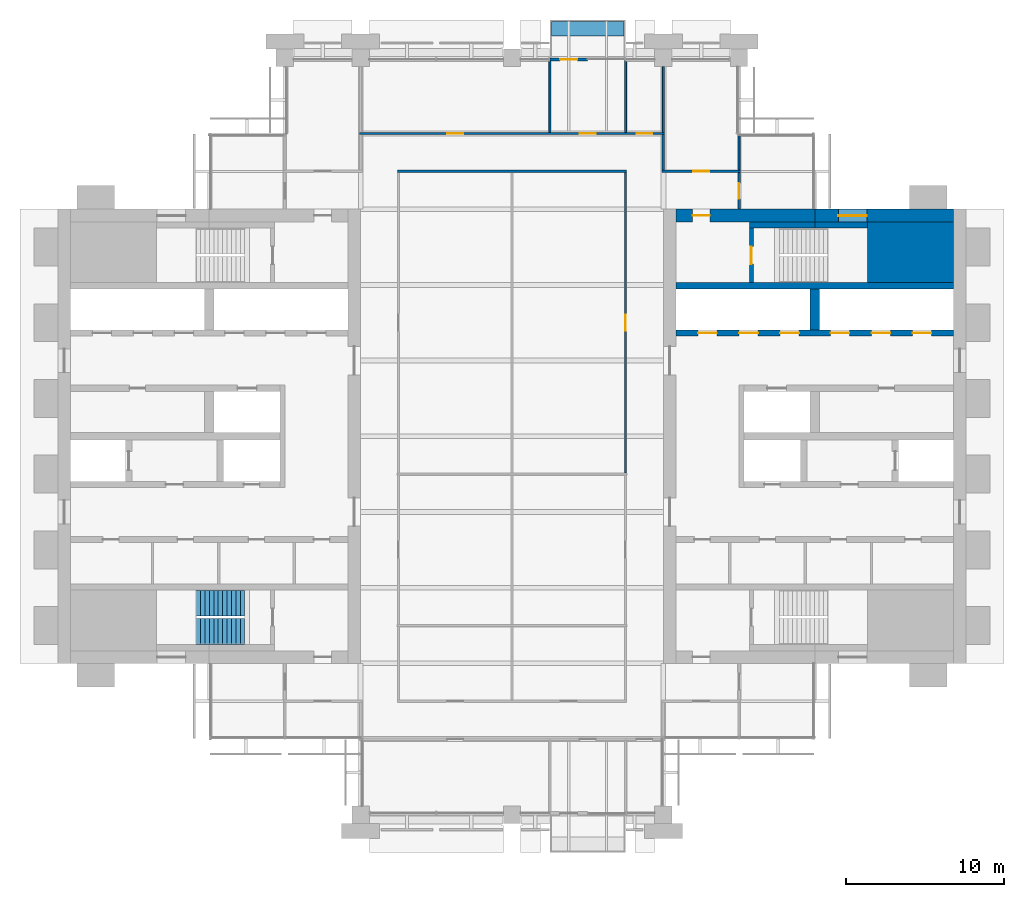
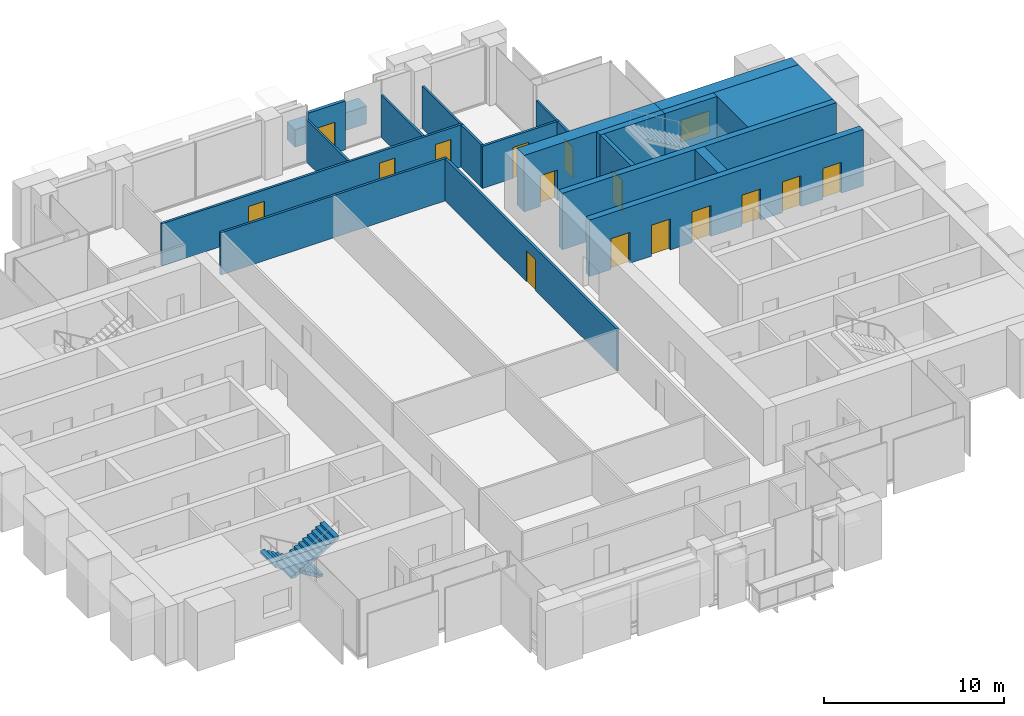
# One storey, part 11 of 14: 21 walls, 15 doors, 2 stair flights, 1 window, 16 openings, 1 element without a shape of its own.
"""IFC4 building model written with IfcOpenShell, lengths in metres."""

from ifc_helpers import new_model, si_unit, direction, frame, frame_2d, origin, place, context, subcontext, project, spatial, polyline, rectangle, outline, extrude, material, layer, layer_set, type_object, element, fill, aggregate, save


model = new_model("IFC4")

# Units and contexts
model_context = context("Model", 3, precision=1e-05, world=origin(), true_north=direction((0.0, 1.0)))
body_context = subcontext(model_context, "Body", "Model", "MODEL_VIEW")
ifc_project = project(units=[si_unit("LENGTHUNIT", "METRE"), si_unit("AREAUNIT", "SQUARE_METRE"), si_unit("VOLUMEUNIT", "CUBIC_METRE"), si_unit("PLANEANGLEUNIT", "RADIAN"), si_unit("MASSUNIT", "GRAM", prefix="KILO")], contexts=[model_context])

# Site, building, storey
site_placement = place(None, origin())
site = spatial("IfcSite", under=ifc_project, at=site_placement, CompositionType="ELEMENT")
building_placement = place(site_placement, origin())
building = spatial("IfcBuilding", under=site, at=building_placement, Name="Baori Bourse Tower", CompositionType="ELEMENT")
storey_placement = place(building_placement, frame((0.0, 0.0, 197.199951171875)))
storey = spatial("IfcBuildingStorey", under=building, at=storey_placement, Name="L42", CompositionType="ELEMENT", Elevation=197.199951171875)

# Wall
ifc_material_1 = material(Name="Concrete f'c 50 MPa", Category="concrete")
wall_type_1 = type_object("IfcWallType", Name="Core corner block f'c 50", PredefinedType="SHEAR", material=ifc_material_1)
wall_1_placement = place(storey_placement, frame((51.35009765625, 35.675048828125, 0.0), z_axis=(0.0, 0.0, 1.0), x_axis=(1.0, 0.0, 0.0)))
element("IfcWall", 1, at=wall_1_placement, inside=storey, type_object=wall_type_1, Name="Core wall E24", PredefinedType="SHEAR", context=body_context, shape_type="SweptSolid", body=[
    extrude(rectangle(XDim=5.449951171875, YDim=3.85009765625, at=frame_2d((2.72509765625, 0.0))), origin(), (0.0, 0.0, 1.0), 3.840087890625),
])

# Wall, opening, window
ifc_material_2 = material(Name="Concrete f'c 50 MPa", Category="concrete")
ifc_layer_1 = layer(ifc_material_2, 0.800048828125)
ifc_layer_set_1 = layer_set([ifc_layer_1], Name="Core wall 800 f'c 50")
wall_type_2 = type_object("IfcWallType", Name="Core wall 800 f'c 50", PredefinedType="SHEAR", material=ifc_layer_set_1)
wall_2_placement = place(storey_placement, frame((48.0, 38.0, 0.0), z_axis=(0.0, 0.0, 1.0), x_axis=(1.0, 0.0, 0.0)))
wall_2 = element("IfcWall", 2, at=wall_2_placement, inside=storey, type_object=wall_type_2, Name="Core wall E28", PredefinedType="SHEAR", context=body_context, shape_type="SweptSolid", body=[
    extrude(rectangle(XDim=8.800048828125, YDim=0.800048828125, at=frame_2d((4.39990234375, 0.0))), origin(), (0.0, 0.0, 1.0), 3.840087890625),
])
opening_1_placement = place(wall_2_placement, frame((1.5, 0.0, 0.89990234375)))
opening_1 = element("IfcOpeningElement", 3, at=opening_1_placement, cuts=wall_2, Name="Opening L42-KW204", PredefinedType="OPENING", context=body_context, shape_type="SweptSolid", body=[
    extrude(rectangle(XDim=1.800048828125, YDim=1.5, at=frame_2d((0.89990234375, 0.75))), frame((0.0, 0.409912109375, 0.0), z_axis=(0.0, -1.0, 0.0), x_axis=(1.0, 0.0, 0.0)), (0.0, 0.0, 1.0), 0.820068359375),
])
ifc_material_3 = material(Name="Pale anodised aluminium", Category="aluminium")
window_type = type_object("IfcWindowType", Name="Stair window 1800 x 1500", PartitioningType="SINGLE_PANEL", PredefinedType="WINDOW", material=ifc_material_3)
window_placement = place(opening_1_placement, origin())
window = element("IfcWindow", 4, at=window_placement, inside=storey, type_object=window_type, Name="Stair window E L42 4", OverallHeight=1.5, OverallWidth=1.800048828125, PartitioningType="SINGLE_PANEL", PredefinedType="WINDOW", context=body_context, shape_type="SweptSolid", body=[
    extrude(rectangle(XDim=1.800048828125, YDim=1.5, at=frame_2d((0.89990234375, 0.75))), frame((0.0, 0.030029296875, 0.0), z_axis=(0.0, -1.0, 0.0), x_axis=(1.0, 0.0, 0.0)), (0.0, 0.0, 1.0), 0.06005859375),
])
fill(opening_1, window)

# Wall, opening, door
wall_3_placement = place(storey_placement, frame((39.199951171875, 38.0, 0.0), z_axis=(0.0, 0.0, 1.0), x_axis=(1.0, 0.0, 0.0)))
wall_3 = element("IfcWall", 5, at=wall_3_placement, inside=storey, type_object=wall_type_2, Name="Core wall E29", PredefinedType="SHEAR", context=body_context, shape_type="SweptSolid", body=[
    extrude(rectangle(XDim=8.800048828125, YDim=0.800048828125, at=frame_2d((4.39990234375, 0.0))), origin(), (0.0, 0.0, 1.0), 3.840087890625),
])
opening_2_placement = place(wall_3_placement, frame((1.050048828125, 0.0, 0.0)))
opening_2 = element("IfcOpeningElement", 6, at=opening_2_placement, cuts=wall_3, Name="Opening L42-D204", PredefinedType="OPENING", context=body_context, shape_type="SweptSolid", body=[
    extrude(rectangle(XDim=1.10009765625, YDim=2.10009765625, at=frame_2d((0.550048828125, 1.050048828125))), frame((0.0, 0.409912109375, 0.0), z_axis=(0.0, -1.0, 0.0), x_axis=(1.0, 0.0, 0.0)), (0.0, 0.0, 1.0), 0.820068359375),
])
ifc_material_4 = material(Name="Painted steel door", Category="steel")
door_type_1 = type_object("IfcDoorType", Name="Stair door 1100", OperationType="SINGLE_SWING_LEFT", PredefinedType="DOOR", material=ifc_material_4)
door_1_placement = place(opening_2_placement, origin())
door_1 = element("IfcDoor", 7, at=door_1_placement, inside=storey, type_object=door_type_1, Name="Stair vestibule door B E L42", OperationType="SINGLE_SWING_LEFT", OverallHeight=2.10009765625, OverallWidth=1.10009765625, PredefinedType="DOOR", context=body_context, shape_type="SweptSolid", body=[
    extrude(rectangle(XDim=1.10009765625, YDim=2.10009765625, at=frame_2d((0.550048828125, 1.050048828125))), frame((0.0, 0.02490234375, 0.0), z_axis=(0.0, -1.0, 0.0), x_axis=(1.0, 0.0, 0.0)), (0.0, 0.0, 1.0), 0.050048828125),
])
fill(opening_2, door_1)

# Wall
ifc_material_5 = material(Name="Gypsum board partition")
ifc_layer_2 = layer(ifc_material_5, 0.14990234375)
ifc_layer_set_2 = layer_set([ifc_layer_2], Name="Corridor partition 150")
wall_type_3 = type_object("IfcWallType", Name="Corridor partition 150", PredefinedType="PARTITIONING", material=ifc_layer_set_2)
wall_4_placement = place(storey_placement, frame((21.52490234375, 40.800048828125, 0.0), z_axis=(0.0, 0.0, 1.0), x_axis=(1.0, 0.0, 0.0)))
element("IfcWall", 8, at=wall_4_placement, inside=storey, type_object=wall_type_3, Name="Partition", PredefinedType="PARTITIONING", context=body_context, shape_type="SweptSolid", body=[
    extrude(rectangle(XDim=14.550048828125, YDim=0.14990234375, at=frame_2d((7.27490234375, 0.0))), origin(), (0.0, 0.0, 1.0), 2.869873046875),
])

# Wall, opening, door
wall_5_placement = place(storey_placement, frame((38.324951171875, 40.800048828125, 0.0), z_axis=(0.0, 0.0, 1.0), x_axis=(1.0, 0.0, 0.0)))
wall_5 = element("IfcWall", 9, at=wall_5_placement, inside=storey, type_object=wall_type_3, Name="Partition", PredefinedType="PARTITIONING", context=body_context, shape_type="SweptSolid", body=[
    extrude(rectangle(XDim=4.949951171875, YDim=0.14990234375, at=frame_2d((2.47509765625, 0.0))), origin(), (0.0, 0.0, 1.0), 2.869873046875),
])
opening_3_placement = place(wall_5_placement, frame((1.97509765625, 0.0, 0.0)))
opening_3 = element("IfcOpeningElement", 10, at=opening_3_placement, cuts=wall_5, Name="Opening L42-D09", PredefinedType="OPENING", context=body_context, shape_type="SweptSolid", body=[
    extrude(rectangle(XDim=1.0, YDim=2.10009765625, at=frame_2d((0.5, 1.050048828125))), frame((0.0, 0.0849609375, 0.0), z_axis=(0.0, -1.0, 0.0), x_axis=(1.0, 0.0, 0.0)), (0.0, 0.0, 1.0), 0.169921875),
])
ifc_material_6 = material(Name="Timber door leaf", Category="wood")
door_type_2 = type_object("IfcDoorType", Name="Door 1000 x 2100", OperationType="SINGLE_SWING_LEFT", PredefinedType="DOOR", material=ifc_material_6)
door_2_placement = place(opening_3_placement, origin())
door_2 = element("IfcDoor", 11, at=door_2_placement, inside=storey, type_object=door_type_2, Name="Door", OperationType="SINGLE_SWING_RIGHT", OverallHeight=2.10009765625, OverallWidth=1.0, PredefinedType="DOOR", context=body_context, shape_type="SweptSolid", body=[
    extrude(rectangle(XDim=1.0, YDim=2.10009765625, at=frame_2d((0.5, 1.050048828125))), frame((0.0, 0.02490234375, 0.0), z_axis=(0.0, -1.0, 0.0), x_axis=(1.0, 0.0, 0.0)), (0.0, 0.0, 1.0), 0.050048828125),
])
fill(opening_3, door_2)

# Wall, openings, doors
wall_6_placement = place(storey_placement, frame((19.125, 43.199951171875, 0.0), z_axis=(0.0, 0.0, 1.0), x_axis=(1.0, 0.0, 0.0)))
wall_6 = element("IfcWall", 12, at=wall_6_placement, inside=storey, type_object=wall_type_3, Name="Partition", PredefinedType="PARTITIONING", context=body_context, shape_type="SweptSolid", body=[
    extrude(rectangle(XDim=19.35009765625, YDim=0.14990234375, at=frame_2d((9.675048828125, 0.0))), origin(), (0.0, 0.0, 1.0), 2.869873046875),
])
opening_4_placement = place(wall_6_placement, frame((5.574951171875, 0.0, 0.0)))
opening_4 = element("IfcOpeningElement", 13, at=opening_4_placement, cuts=wall_6, Name="Opening L42-D10", PredefinedType="OPENING", context=body_context, shape_type="SweptSolid", body=[
    extrude(rectangle(XDim=1.0, YDim=2.10009765625, at=frame_2d((0.5, 1.050048828125))), frame((0.0, 0.0849609375, 0.0), z_axis=(0.0, -1.0, 0.0), x_axis=(1.0, 0.0, 0.0)), (0.0, 0.0, 1.0), 0.169921875),
])
opening_5_placement = place(wall_6_placement, frame((13.97509765625, 0.0, 0.0)))
opening_5 = element("IfcOpeningElement", 14, at=opening_5_placement, cuts=wall_6, Name="Opening L42-D11", PredefinedType="OPENING", context=body_context, shape_type="SweptSolid", body=[
    extrude(rectangle(XDim=1.0, YDim=2.10009765625, at=frame_2d((0.5, 1.050048828125))), frame((0.0, 0.0849609375, 0.0), z_axis=(0.0, -1.0, 0.0), x_axis=(1.0, 0.0, 0.0)), (0.0, 0.0, 1.0), 0.169921875),
])
opening_6_placement = place(wall_6_placement, frame((17.574951171875, 0.0, 0.0)))
opening_6 = element("IfcOpeningElement", 15, at=opening_6_placement, cuts=wall_6, Name="Opening L42-D12", PredefinedType="OPENING", context=body_context, shape_type="SweptSolid", body=[
    extrude(rectangle(XDim=1.0, YDim=2.10009765625, at=frame_2d((0.5, 1.050048828125))), frame((0.0, 0.0849609375, 0.0), z_axis=(0.0, -1.0, 0.0), x_axis=(1.0, 0.0, 0.0)), (0.0, 0.0, 1.0), 0.169921875),
])
door_3_placement = place(opening_4_placement, origin())
door_3 = element("IfcDoor", 16, at=door_3_placement, inside=storey, type_object=door_type_2, Name="Door", OperationType="SINGLE_SWING_RIGHT", OverallHeight=2.10009765625, OverallWidth=1.0, PredefinedType="DOOR", context=body_context, shape_type="SweptSolid", body=[
    extrude(rectangle(XDim=1.0, YDim=2.10009765625, at=frame_2d((0.5, 1.050048828125))), frame((0.0, 0.02490234375, 0.0), z_axis=(0.0, -1.0, 0.0), x_axis=(1.0, 0.0, 0.0)), (0.0, 0.0, 1.0), 0.050048828125),
])
fill(opening_4, door_3)
door_4_placement = place(opening_5_placement, origin())
door_4 = element("IfcDoor", 17, at=door_4_placement, inside=storey, type_object=door_type_2, Name="Door", OperationType="SINGLE_SWING_LEFT", OverallHeight=2.10009765625, OverallWidth=1.0, PredefinedType="DOOR", context=body_context, shape_type="SweptSolid", body=[
    extrude(rectangle(XDim=1.0, YDim=2.10009765625, at=frame_2d((0.5, 1.050048828125))), frame((0.0, 0.02490234375, 0.0), z_axis=(0.0, -1.0, 0.0), x_axis=(1.0, 0.0, 0.0)), (0.0, 0.0, 1.0), 0.050048828125),
])
fill(opening_5, door_4)
door_5_placement = place(opening_6_placement, origin())
door_5 = element("IfcDoor", 18, at=door_5_placement, inside=storey, type_object=door_type_2, Name="Door", OperationType="SINGLE_SWING_LEFT", OverallHeight=2.10009765625, OverallWidth=1.0, PredefinedType="DOOR", context=body_context, shape_type="SweptSolid", body=[
    extrude(rectangle(XDim=1.0, YDim=2.10009765625, at=frame_2d((0.5, 1.050048828125))), frame((0.0, 0.02490234375, 0.0), z_axis=(0.0, -1.0, 0.0), x_axis=(1.0, 0.0, 0.0)), (0.0, 0.0, 1.0), 0.050048828125),
])
fill(opening_6, door_5)

# Wall, opening, door
wall_7_placement = place(storey_placement, frame((36.0, 21.66259765625, 0.0), z_axis=(0.0, 0.0, 1.0), x_axis=(0.0, 1.0, 0.0)))
wall_7 = element("IfcWall", 19, at=wall_7_placement, inside=storey, type_object=wall_type_3, Name="Partition", PredefinedType="PARTITIONING", context=body_context, shape_type="SweptSolid", body=[
    extrude(rectangle(XDim=19.0625, YDim=0.14990234375, at=frame_2d((9.53125, 0.0))), origin(), (0.0, 0.0, 1.0), 2.869873046875),
])
opening_7_placement = place(wall_7_placement, frame((9.03125, 0.0, 0.0)))
opening_7 = element("IfcOpeningElement", 20, at=opening_7_placement, cuts=wall_7, Name="Opening L42-D18", PredefinedType="OPENING", context=body_context, shape_type="SweptSolid", body=[
    extrude(rectangle(XDim=1.0, YDim=2.10009765625, at=frame_2d((0.5, 1.050048828125))), frame((0.0, 0.0849609375, 0.0), z_axis=(0.0, -1.0, 0.0), x_axis=(1.0, 0.0, 0.0)), (0.0, 0.0, 1.0), 0.169921875),
])
door_6_placement = place(opening_7_placement, origin())
door_6 = element("IfcDoor", 21, at=door_6_placement, inside=storey, type_object=door_type_2, Name="Door", OperationType="SINGLE_SWING_RIGHT", OverallHeight=2.10009765625, OverallWidth=1.0, PredefinedType="DOOR", context=body_context, shape_type="SweptSolid", body=[
    extrude(rectangle(XDim=1.0, YDim=2.10009765625, at=frame_2d((0.5, 1.050048828125))), frame((0.0, 0.02490234375, 0.0), z_axis=(0.0, -1.0, 0.0), x_axis=(1.0, 0.0, 0.0)), (0.0, 0.0, 1.0), 0.050048828125),
])
fill(opening_7, door_6)

# Wall
wall_8_placement = place(storey_placement, frame((38.39990234375, 40.875, 0.0), z_axis=(0.0, 0.0, 1.0), x_axis=(0.0, 1.0, 0.0)))
element("IfcWall", 22, at=wall_8_placement, inside=storey, type_object=wall_type_3, Name="Partition", PredefinedType="PARTITIONING", context=body_context, shape_type="SweptSolid", body=[
    extrude(rectangle(XDim=2.25, YDim=0.14990234375, at=frame_2d((1.125, 0.0))), origin(), (0.0, 0.0, 1.0), 2.869873046875),
])

# Wall, opening, door
wall_9_placement = place(storey_placement, frame((43.199951171875, 38.39990234375, 0.0), z_axis=(0.0, 0.0, 1.0), x_axis=(0.0, 1.0, 0.0)))
wall_9 = element("IfcWall", 23, at=wall_9_placement, inside=storey, type_object=wall_type_3, Name="Partition", PredefinedType="PARTITIONING", context=body_context, shape_type="SweptSolid", body=[
    extrude(rectangle(XDim=2.3251953125, YDim=0.14990234375, at=frame_2d((1.16259765625, 0.0))), origin(), (0.0, 0.0, 1.0), 2.869873046875),
])
opening_8_placement = place(wall_9_placement, frame((0.66259765625, 0.0, 0.0)))
opening_8 = element("IfcOpeningElement", 24, at=opening_8_placement, cuts=wall_9, Name="Opening L42-D20", PredefinedType="OPENING", context=body_context, shape_type="SweptSolid", body=[
    extrude(rectangle(XDim=1.0, YDim=2.10009765625, at=frame_2d((0.5, 1.050048828125))), frame((0.0, 0.0849609375, 0.0), z_axis=(0.0, -1.0, 0.0), x_axis=(1.0, 0.0, 0.0)), (0.0, 0.0, 1.0), 0.169921875),
])
door_7_placement = place(opening_8_placement, origin())
door_7 = element("IfcDoor", 25, at=door_7_placement, inside=storey, type_object=door_type_2, Name="Door", OperationType="SINGLE_SWING_LEFT", OverallHeight=2.10009765625, OverallWidth=1.0, PredefinedType="DOOR", context=body_context, shape_type="SweptSolid", body=[
    extrude(rectangle(XDim=1.0, YDim=2.10009765625, at=frame_2d((0.5, 1.050048828125))), frame((0.0, 0.02490234375, 0.0), z_axis=(0.0, -1.0, 0.0), x_axis=(1.0, 0.0, 0.0)), (0.0, 0.0, 1.0), 0.050048828125),
])
fill(opening_8, door_7)

ifc_material_7 = material(Name="Pale anodised aluminium", Category="aluminium")
ifc_layer_3 = layer(ifc_material_7, 0.199951171875)
ifc_layer_set_3 = layer_set([ifc_layer_3], Name="EW1 External wall bay")
wall_type_4 = type_object("IfcWallType", Name="EW1 External wall bay", PredefinedType="SOLIDWALL", material=ifc_layer_set_3)
wall_10_placement = place(storey_placement, frame((33.60009765625, 47.89990234375, 0.0), z_axis=(0.0, 0.0, 1.0), x_axis=(-1.0, 0.0, 0.0)))
wall_10 = element("IfcWall", 26, at=wall_10_placement, inside=storey, type_object=wall_type_4, Name="External wall bay L42 1", PredefinedType="SOLIDWALL", context=body_context, shape_type="SweptSolid", body=[
    extrude(rectangle(XDim=2.400146484375, YDim=0.199951171875, at=frame_2d((1.2001953125, 0.0))), origin(), (0.0, 0.0, 1.0), 3.314208984375),
])
opening_9_placement = place(wall_10_placement, frame((0.64990234375, 0.0, 0.0)))
opening_9 = element("IfcOpeningElement", 27, at=opening_9_placement, cuts=wall_10, Name="Opening L42-D91", PredefinedType="OPENING", context=body_context, shape_type="SweptSolid", body=[
    extrude(rectangle(XDim=1.10009765625, YDim=2.10009765625, at=frame_2d((0.550048828125, 1.050048828125))), frame((0.0, 0.10986328125, 0.0), z_axis=(0.0, -1.0, 0.0), x_axis=(1.0, 0.0, 0.0)), (0.0, 0.0, 1.0), 0.219970703125),
])
ifc_material_8 = material(Name="Pale anodised aluminium", Category="aluminium")
door_type_3 = type_object("IfcDoorType", Name="BL1 Balcony door", OperationType="SINGLE_SWING_LEFT", PredefinedType="DOOR", material=ifc_material_8)
door_8_placement = place(opening_9_placement, origin())
door_8 = element("IfcDoor", 28, at=door_8_placement, inside=storey, type_object=door_type_3, Name="Balcony door L42 1", OperationType="SINGLE_SWING_LEFT", OverallHeight=2.10009765625, OverallWidth=1.10009765625, PredefinedType="DOOR", context=body_context, shape_type="SweptSolid", body=[
    extrude(rectangle(XDim=1.10009765625, YDim=2.10009765625, at=frame_2d((0.550048828125, 1.050048828125))), frame((0.0, 0.02490234375, 0.0), z_axis=(0.0, -1.0, 0.0), x_axis=(1.0, 0.0, 0.0)), (0.0, 0.0, 1.0), 0.050048828125),
])
fill(opening_9, door_8)

# Walls
ifc_material_9 = material(Name="Concrete f'c 40 MPa", Category="concrete")
ifc_layer_4 = layer(ifc_material_9, 0.89990234375)
ifc_layer_set_4 = layer_set([ifc_layer_4], Name="PW1 Planter wall")
wall_type_5 = type_object("IfcWallType", Name="PW1 Planter wall", PredefinedType="USERDEFINED", material=ifc_layer_set_4)
wall_11_placement = place(storey_placement, frame((31.300048828125, 49.85009765625, 0.0), z_axis=(0.0, 0.0, 1.0), x_axis=(1.0, 0.0, 0.0)))
element("IfcWall", 29, at=wall_11_placement, inside=storey, type_object=wall_type_5, Name="Planter balcony N L42 2", ObjectType="PLANTER", PredefinedType="USERDEFINED", context=body_context, shape_type="SweptSolid", body=[
    extrude(rectangle(XDim=4.599853515625, YDim=0.89990234375, at=frame_2d((2.2998046875, 0.0))), origin(), (0.0, 0.0, 1.0), 1.199951171875),
])
ifc_material_10 = material(Name="Gypsum board partition")
ifc_layer_5 = layer(ifc_material_10, 0.125)
ifc_layer_set_5 = layer_set([ifc_layer_5], Name="Partition 125")
wall_type_6 = type_object("IfcWallType", Name="Partition 125", PredefinedType="PARTITIONING", material=ifc_layer_set_5)
for number, where, z_axis, x_axis, name in (
    (30, (31.199951171875, 43.27490234375, 0.0), (0.0, 0.0, 1.0), (0.0, 1.0, 0.0), "Partition"),
    (31, (36.0, 43.27490234375, 0.0), (0.0, 0.0, 1.0), (0.0, 1.0, 0.0), "Partition"),
):
    element("IfcWall", number, at=place(storey_placement, frame(where, z_axis=z_axis, x_axis=x_axis)), inside=storey, type_object=wall_type_6, Name=name, PredefinedType="PARTITIONING", context=body_context, shape_type="SweptSolid", body=[
        extrude(rectangle(XDim=4.625, YDim=0.125, at=frame_2d((2.3125, 0.0))), origin(), (0.0, 0.0, 1.0), 2.869873046875),
    ])
wall_12_placement = place(storey_placement, frame((38.39990234375, 43.27490234375, 0.0), z_axis=(0.0, 0.0, 1.0), x_axis=(0.0, 1.0, 0.0)))
element("IfcWall", 32, at=wall_12_placement, inside=storey, type_object=wall_type_6, Name="Partition", PredefinedType="PARTITIONING", context=body_context, shape_type="SweptSolid", body=[
    extrude(rectangle(XDim=4.175048828125, YDim=0.125, at=frame_2d((2.08740234375, 0.0))), origin(), (0.0, 0.0, 1.0), 2.869873046875),
])
wall_13_placement = place(storey_placement, frame((43.199951171875, 40.875, 0.0), z_axis=(0.0, 0.0, 1.0), x_axis=(0.0, 1.0, 0.0)))
element("IfcWall", 33, at=wall_13_placement, inside=storey, type_object=wall_type_6, Name="Partition", PredefinedType="PARTITIONING", context=body_context, shape_type="SweptSolid", body=[
    extrude(rectangle(XDim=2.22509765625, YDim=0.125, at=frame_2d((1.112548828125, 0.0))), origin(), (0.0, 0.0, 1.0), 2.869873046875),
])

# Wall, opening, door
ifc_material_11 = material(Name="Concrete f'c 50 MPa", Category="concrete")
ifc_layer_6 = layer(ifc_material_11, 0.25)
ifc_layer_set_6 = layer_set([ifc_layer_6], Name="Shaft wall 250 f'c 50")
wall_type_7 = type_object("IfcWallType", Name="Shaft wall 250 f'c 50", PredefinedType="SHEAR", material=ifc_layer_set_6)
wall_14_placement = place(storey_placement, frame((43.97509765625, 33.75, 0.0), z_axis=(0.0, 0.0, 1.0), x_axis=(0.0, 1.0, 0.0)))
wall_14 = element("IfcWall", 34, at=wall_14_placement, inside=storey, type_object=wall_type_7, Name="Core wall E25", PredefinedType="SHEAR", context=body_context, shape_type="SweptSolid", body=[
    extrude(rectangle(XDim=3.449951171875, YDim=0.25, at=frame_2d((1.72509765625, 0.0))), origin(), (0.0, 0.0, 1.0), 3.840087890625),
])
opening_10_placement = place(wall_14_placement, frame((1.175048828125, 0.0, 0.0)))
opening_10 = element("IfcOpeningElement", 35, at=opening_10_placement, cuts=wall_14, Name="Opening L42-D203", PredefinedType="OPENING", context=body_context, shape_type="SweptSolid", body=[
    extrude(rectangle(XDim=1.10009765625, YDim=2.10009765625, at=frame_2d((0.550048828125, 1.050048828125))), frame((0.0, 0.135009765625, 0.0), z_axis=(0.0, -1.0, 0.0), x_axis=(1.0, 0.0, 0.0)), (0.0, 0.0, 1.0), 0.27001953125),
])
door_9_placement = place(opening_10_placement, origin())
door_9 = element("IfcDoor", 36, at=door_9_placement, inside=storey, type_object=door_type_1, Name="Stair door B E L42", OperationType="SINGLE_SWING_LEFT", OverallHeight=2.10009765625, OverallWidth=1.10009765625, PredefinedType="DOOR", context=body_context, shape_type="SweptSolid", body=[
    extrude(rectangle(XDim=1.10009765625, YDim=2.10009765625, at=frame_2d((0.550048828125, 1.050048828125))), frame((0.0, 0.02490234375, 0.0), z_axis=(0.0, -1.0, 0.0), x_axis=(1.0, 0.0, 0.0)), (0.0, 0.0, 1.0), 0.050048828125),
])
fill(opening_10, door_9)

# Wall, openings, doors
ifc_material_12 = material(Name="Concrete f'c 50 MPa", Category="concrete")
ifc_layer_7 = layer(ifc_material_12, 0.39990234375)
ifc_layer_set_7 = layer_set([ifc_layer_7], Name="Shaft wall 400 f'c 50")
wall_type_8 = type_object("IfcWallType", Name="Shaft wall 400 f'c 50", PredefinedType="SHEAR", material=ifc_layer_set_7)
wall_15_placement = place(storey_placement, frame((39.199951171875, 30.550048828125, 0.0), z_axis=(0.0, 0.0, 1.0), x_axis=(1.0, 0.0, 0.0)))
wall_15 = element("IfcWall", 37, at=wall_15_placement, inside=storey, type_object=wall_type_8, Name="Core wall E21", PredefinedType="SHEAR", context=body_context, shape_type="SweptSolid", body=[
    extrude(rectangle(XDim=17.60009765625, YDim=0.39990234375, at=frame_2d((8.800048828125, 0.0))), origin(), (0.0, 0.0, 1.0), 3.840087890625),
])
opening_11_placement = place(wall_15_placement, frame((15.0, 0.0, 0.0)))
opening_11 = element("IfcOpeningElement", 38, at=opening_11_placement, cuts=wall_15, Name="Opening L42-D214", PredefinedType="OPENING", context=body_context, shape_type="SweptSolid", body=[
    extrude(rectangle(XDim=1.199951171875, YDim=2.10009765625, at=frame_2d((0.60009765625, 1.050048828125))), frame((0.0, 0.2099609375, 0.0), z_axis=(0.0, -1.0, 0.0), x_axis=(1.0, 0.0, 0.0)), (0.0, 0.0, 1.0), 0.419921875),
])
opening_12_placement = place(wall_15_placement, frame((12.39990234375, 0.0, 0.0)))
opening_12 = element("IfcOpeningElement", 39, at=opening_12_placement, cuts=wall_15, Name="Opening L42-D215", PredefinedType="OPENING", context=body_context, shape_type="SweptSolid", body=[
    extrude(rectangle(XDim=1.199951171875, YDim=2.10009765625, at=frame_2d((0.60009765625, 1.050048828125))), frame((0.0, 0.2099609375, 0.0), z_axis=(0.0, -1.0, 0.0), x_axis=(1.0, 0.0, 0.0)), (0.0, 0.0, 1.0), 0.419921875),
])
opening_13_placement = place(wall_15_placement, frame((9.800048828125, 0.0, 0.0)))
opening_13 = element("IfcOpeningElement", 40, at=opening_13_placement, cuts=wall_15, Name="Opening L42-D216", PredefinedType="OPENING", context=body_context, shape_type="SweptSolid", body=[
    extrude(rectangle(XDim=1.199951171875, YDim=2.10009765625, at=frame_2d((0.60009765625, 1.050048828125))), frame((0.0, 0.2099609375, 0.0), z_axis=(0.0, -1.0, 0.0), x_axis=(1.0, 0.0, 0.0)), (0.0, 0.0, 1.0), 0.419921875),
])
opening_14_placement = place(wall_15_placement, frame((6.60009765625, 0.0, 0.0)))
opening_14 = element("IfcOpeningElement", 41, at=opening_14_placement, cuts=wall_15, Name="Opening L42-D217", PredefinedType="OPENING", context=body_context, shape_type="SweptSolid", body=[
    extrude(rectangle(XDim=1.199951171875, YDim=2.10009765625, at=frame_2d((0.60009765625, 1.050048828125))), frame((0.0, 0.2099609375, 0.0), z_axis=(0.0, -1.0, 0.0), x_axis=(1.0, 0.0, 0.0)), (0.0, 0.0, 1.0), 0.419921875),
])
opening_15_placement = place(wall_15_placement, frame((4.0, 0.0, 0.0)))
opening_15 = element("IfcOpeningElement", 42, at=opening_15_placement, cuts=wall_15, Name="Opening L42-D218", PredefinedType="OPENING", context=body_context, shape_type="SweptSolid", body=[
    extrude(rectangle(XDim=1.199951171875, YDim=2.10009765625, at=frame_2d((0.60009765625, 1.050048828125))), frame((0.0, 0.2099609375, 0.0), z_axis=(0.0, -1.0, 0.0), x_axis=(1.0, 0.0, 0.0)), (0.0, 0.0, 1.0), 0.419921875),
])
opening_16_placement = place(wall_15_placement, frame((1.39990234375, 0.0, 0.0)))
opening_16 = element("IfcOpeningElement", 43, at=opening_16_placement, cuts=wall_15, Name="Opening L42-D219", PredefinedType="OPENING", context=body_context, shape_type="SweptSolid", body=[
    extrude(rectangle(XDim=1.199951171875, YDim=2.10009765625, at=frame_2d((0.60009765625, 1.050048828125))), frame((0.0, 0.2099609375, 0.0), z_axis=(0.0, -1.0, 0.0), x_axis=(1.0, 0.0, 0.0)), (0.0, 0.0, 1.0), 0.419921875),
])
ifc_material_13 = material(Name="Stainless steel door", Category="steel")
door_type_4 = type_object("IfcDoorType", Name="Lift landing door", OperationType="DOUBLE_DOOR_SLIDING", PredefinedType="DOOR", material=ifc_material_13)
door_10_placement = place(opening_11_placement, origin())
door_10 = element("IfcDoor", 44, at=door_10_placement, inside=storey, type_object=door_type_4, Name="Lift landing door HR1 E L42", OperationType="DOUBLE_DOOR_SLIDING", OverallHeight=2.10009765625, OverallWidth=1.199951171875, PredefinedType="DOOR", context=body_context, shape_type="SweptSolid", body=[
    extrude(rectangle(XDim=1.199951171875, YDim=2.10009765625, at=frame_2d((0.60009765625, 1.050048828125))), frame((0.0, 0.02490234375, 0.0), z_axis=(0.0, -1.0, 0.0), x_axis=(1.0, 0.0, 0.0)), (0.0, 0.0, 1.0), 0.050048828125),
])
fill(opening_11, door_10)
door_11_placement = place(opening_12_placement, origin())
door_11 = element("IfcDoor", 45, at=door_11_placement, inside=storey, type_object=door_type_4, Name="Lift landing door HR2 E L42", OperationType="DOUBLE_DOOR_SLIDING", OverallHeight=2.10009765625, OverallWidth=1.199951171875, PredefinedType="DOOR", context=body_context, shape_type="SweptSolid", body=[
    extrude(rectangle(XDim=1.199951171875, YDim=2.10009765625, at=frame_2d((0.60009765625, 1.050048828125))), frame((0.0, 0.02490234375, 0.0), z_axis=(0.0, -1.0, 0.0), x_axis=(1.0, 0.0, 0.0)), (0.0, 0.0, 1.0), 0.050048828125),
])
fill(opening_12, door_11)
door_12_placement = place(opening_13_placement, origin())
door_12 = element("IfcDoor", 46, at=door_12_placement, inside=storey, type_object=door_type_4, Name="Lift landing door HR3 E L42", OperationType="DOUBLE_DOOR_SLIDING", OverallHeight=2.10009765625, OverallWidth=1.199951171875, PredefinedType="DOOR", context=body_context, shape_type="SweptSolid", body=[
    extrude(rectangle(XDim=1.199951171875, YDim=2.10009765625, at=frame_2d((0.60009765625, 1.050048828125))), frame((0.0, 0.02490234375, 0.0), z_axis=(0.0, -1.0, 0.0), x_axis=(1.0, 0.0, 0.0)), (0.0, 0.0, 1.0), 0.050048828125),
])
fill(opening_13, door_12)
door_13_placement = place(opening_14_placement, origin())
door_13 = element("IfcDoor", 47, at=door_13_placement, inside=storey, type_object=door_type_4, Name="Lift landing door HR4 E L42", OperationType="DOUBLE_DOOR_SLIDING", OverallHeight=2.10009765625, OverallWidth=1.199951171875, PredefinedType="DOOR", context=body_context, shape_type="SweptSolid", body=[
    extrude(rectangle(XDim=1.199951171875, YDim=2.10009765625, at=frame_2d((0.60009765625, 1.050048828125))), frame((0.0, 0.02490234375, 0.0), z_axis=(0.0, -1.0, 0.0), x_axis=(1.0, 0.0, 0.0)), (0.0, 0.0, 1.0), 0.050048828125),
])
fill(opening_14, door_13)
door_14_placement = place(opening_15_placement, origin())
door_14 = element("IfcDoor", 48, at=door_14_placement, inside=storey, type_object=door_type_4, Name="Lift landing door HR5 E L42", OperationType="DOUBLE_DOOR_SLIDING", OverallHeight=2.10009765625, OverallWidth=1.199951171875, PredefinedType="DOOR", context=body_context, shape_type="SweptSolid", body=[
    extrude(rectangle(XDim=1.199951171875, YDim=2.10009765625, at=frame_2d((0.60009765625, 1.050048828125))), frame((0.0, 0.02490234375, 0.0), z_axis=(0.0, -1.0, 0.0), x_axis=(1.0, 0.0, 0.0)), (0.0, 0.0, 1.0), 0.050048828125),
])
fill(opening_15, door_14)
door_15_placement = place(opening_16_placement, origin())
door_15 = element("IfcDoor", 49, at=door_15_placement, inside=storey, type_object=door_type_4, Name="Lift landing door HR6 E L42", OperationType="DOUBLE_DOOR_SLIDING", OverallHeight=2.10009765625, OverallWidth=1.199951171875, PredefinedType="DOOR", context=body_context, shape_type="SweptSolid", body=[
    extrude(rectangle(XDim=1.199951171875, YDim=2.10009765625, at=frame_2d((0.60009765625, 1.050048828125))), frame((0.0, 0.02490234375, 0.0), z_axis=(0.0, -1.0, 0.0), x_axis=(1.0, 0.0, 0.0)), (0.0, 0.0, 1.0), 0.050048828125),
])
fill(opening_16, door_15)

# Walls
wall_16_placement = place(storey_placement, frame((39.199951171875, 33.550048828125, 0.0), z_axis=(0.0, 0.0, 1.0), x_axis=(1.0, 0.0, 0.0)))
element("IfcWall", 50, at=wall_16_placement, inside=storey, type_object=wall_type_8, Name="Core wall E23", PredefinedType="SHEAR", context=body_context, shape_type="SweptSolid", body=[
    extrude(rectangle(XDim=17.60009765625, YDim=0.39990234375, at=frame_2d((8.800048828125, 0.0))), origin(), (0.0, 0.0, 1.0), 3.840087890625),
])
wall_17_placement = place(storey_placement, frame((48.0, 37.39990234375, 0.0), z_axis=(0.0, 0.0, 1.0), x_axis=(1.0, 0.0, 0.0)))
element("IfcWall", 51, at=wall_17_placement, inside=storey, type_object=wall_type_8, Name="Core wall E26", PredefinedType="SHEAR", context=body_context, shape_type="SweptSolid", body=[
    extrude(rectangle(XDim=3.35009765625, YDim=0.39990234375, at=frame_2d((1.675048828125, 0.0))), origin(), (0.0, 0.0, 1.0), 3.840087890625),
])
wall_18_placement = place(storey_placement, frame((43.85009765625, 37.39990234375, 0.0), z_axis=(0.0, 0.0, 1.0), x_axis=(1.0, 0.0, 0.0)))
element("IfcWall", 52, at=wall_18_placement, inside=storey, type_object=wall_type_8, Name="Core wall E27", PredefinedType="SHEAR", context=body_context, shape_type="SweptSolid", body=[
    extrude(rectangle(XDim=4.14990234375, YDim=0.39990234375, at=frame_2d((2.074951171875, 0.0))), origin(), (0.0, 0.0, 1.0), 3.840087890625),
])
ifc_material_14 = material(Name="Concrete f'c 50 MPa", Category="concrete")
ifc_layer_8 = layer(ifc_material_14, 0.60009765625)
ifc_layer_set_8 = layer_set([ifc_layer_8], Name="Shaft wall 600 f'c 50")
wall_type_9 = type_object("IfcWallType", Name="Shaft wall 600 f'c 50", PredefinedType="SHEAR", material=ifc_layer_set_8)
wall_19_placement = place(storey_placement, frame((48.0, 30.75, 0.0), z_axis=(0.0, 0.0, 1.0), x_axis=(0.0, 1.0, 0.0)))
element("IfcWall", 53, at=wall_19_placement, inside=storey, type_object=wall_type_9, Name="Core wall E22", PredefinedType="SHEAR", context=body_context, shape_type="SweptSolid", body=[
    extrude(rectangle(XDim=2.60009765625, YDim=0.60009765625, at=frame_2d((1.300048828125, 0.0))), origin(), (0.0, 0.0, 1.0), 3.840087890625),
])

# Stair, stair flights
ifc_material_15 = material(Name="Concrete f'c 50 MPa", Category="concrete")
stair_type = type_object("IfcStairType", Name="Core stair", PredefinedType="HALF_TURN_STAIR", material=ifc_material_15)
stair_placement = place(storey_placement, origin())
stair = element("IfcStair", 54, at=stair_placement, inside=storey, type_object=stair_type, Name="L42 Stair WA", PredefinedType="HALF_TURN_STAIR")
ifc_material_16 = material(Name="Concrete f'c 50 MPa", Category="concrete")
stair_flight_type = type_object("IfcStairFlightType", Name="Core stair flight", PredefinedType="STRAIGHT", material=ifc_material_16)
stair_flight_1_placement = place(storey_placement, frame((11.85009765625, 13.425048828125, 0.0), z_axis=(0.0, 0.0, 1.0), x_axis=(-1.0, 0.0, 0.0)))
stair_flight_1 = element("IfcStairFlight", 55, at=stair_flight_1_placement, type_object=stair_flight_type, Name="ST1 flight 1", NumberOfRisers=12, NumberOfTreads=11, PredefinedType="STRAIGHT", RiserHeight=0.166666667, TreadLength=0.28, context=body_context, shape_type="SweptSolid", body=[
    extrude(outline(polyline([(0.0, 0.0), (0.0, 0.166748046875), (0.280029296875, 0.166748046875), (0.280029296875, 0.333251953125), (0.56005859375, 0.333251953125), (0.56005859375, 0.5), (0.840087890625, 0.5), (0.840087890625, 0.666748046875), (1.1201171875, 0.666748046875), (1.1201171875, 0.833251953125), (1.39990234375, 0.833251953125), (1.39990234375, 1.0), (1.679931640625, 1.0), (1.679931640625, 1.166748046875), (1.9599609375, 1.166748046875), (1.9599609375, 1.333251953125), (2.239990234375, 1.333251953125), (2.239990234375, 1.5), (2.52001953125, 1.5), (2.52001953125, 1.666748046875), (2.800048828125, 1.666748046875), (2.800048828125, 1.833251953125), (3.080078125, 1.833251953125), (3.080078125, 2.0), (3.080078125, 1.658935546875), (0.29296875, 0.0), (0.0, 0.0)])), frame((0.0, 0.824951171875, 0.0), z_axis=(0.0, -1.0, 0.0), x_axis=(1.0, 0.0, 0.0)), (0.0, 0.0, 1.0), 1.64990234375),
])
stair_flight_2_placement = place(storey_placement, frame((8.77001953125, 11.625, 2.0), z_axis=(0.0, 0.0, 1.0), x_axis=(1.0, 0.0, 0.0)))
stair_flight_2 = element("IfcStairFlight", 56, at=stair_flight_2_placement, type_object=stair_flight_type, Name="ST1 flight 2", NumberOfRisers=12, NumberOfTreads=11, PredefinedType="STRAIGHT", RiserHeight=0.166666667, TreadLength=0.28, context=body_context, shape_type="SweptSolid", body=[
    extrude(outline(polyline([(0.0, 0.0), (0.0, 0.166748046875), (0.280029296875, 0.166748046875), (0.280029296875, 0.333251953125), (0.56005859375, 0.333251953125), (0.56005859375, 0.5), (0.840087890625, 0.5), (0.840087890625, 0.666748046875), (1.1201171875, 0.666748046875), (1.1201171875, 0.833251953125), (1.39990234375, 0.833251953125), (1.39990234375, 1.0), (1.679931640625, 1.0), (1.679931640625, 1.166748046875), (1.9599609375, 1.166748046875), (1.9599609375, 1.333251953125), (2.239990234375, 1.333251953125), (2.239990234375, 1.5), (2.52001953125, 1.5), (2.52001953125, 1.666748046875), (2.800048828125, 1.666748046875), (2.800048828125, 1.833251953125), (3.080078125, 1.833251953125), (3.080078125, 2.0), (3.080078125, 1.658935546875), (0.29296875, 0.0), (0.0, 0.0)])), frame((0.0, 0.824951171875, 0.0), z_axis=(0.0, -1.0, 0.0), x_axis=(1.0, 0.0, 0.0)), (0.0, 0.0, 1.0), 1.64990234375),
])
aggregate(stair, [stair_flight_1, stair_flight_2])

save(model, "model.ifc")
